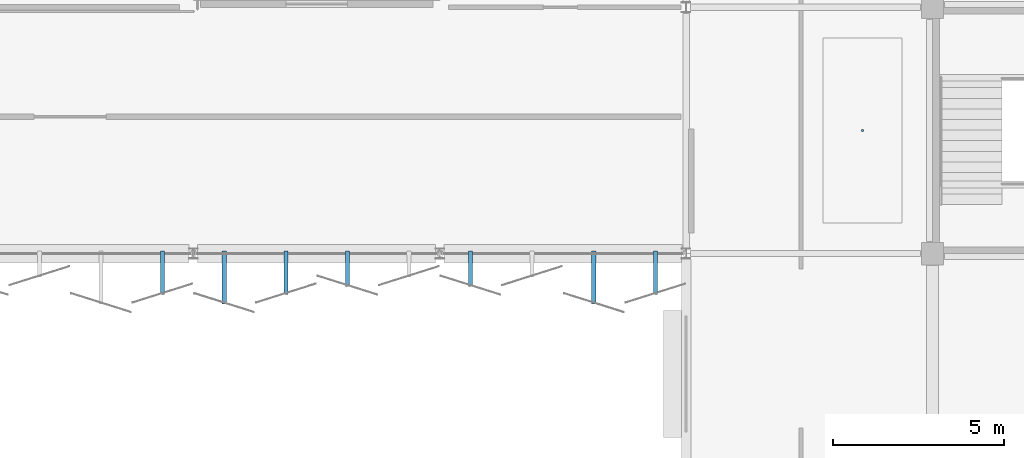
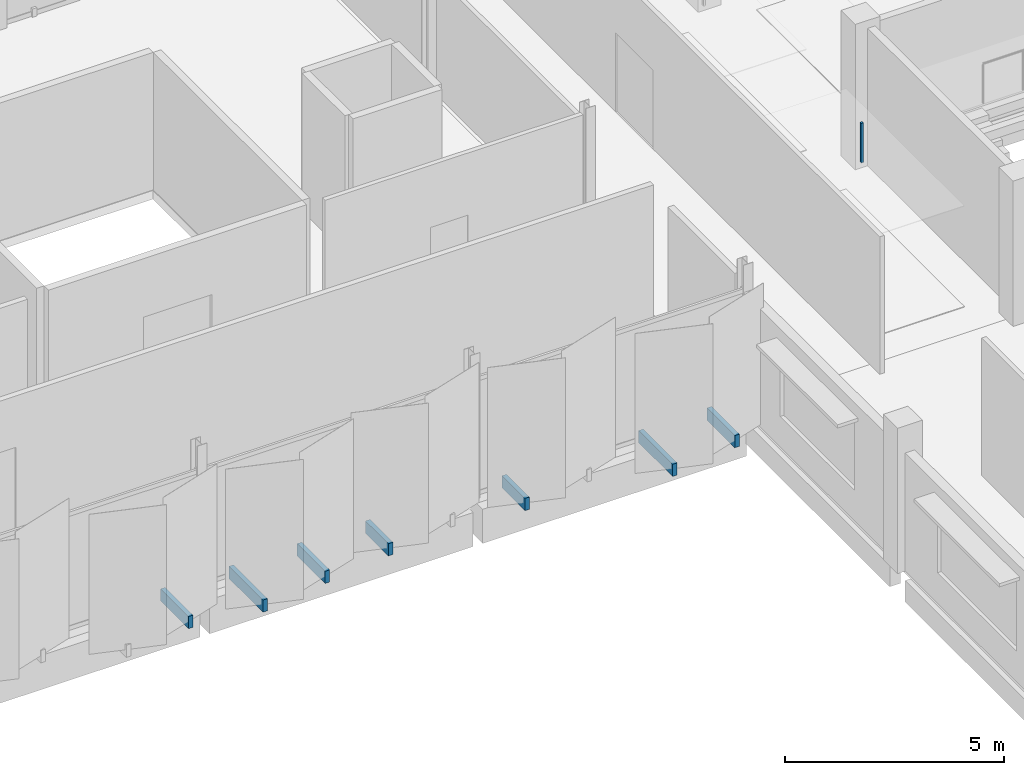
# One storey, part 71 of 77: 8 discrete accessories.
"""IFC4 building model written with IfcOpenShell, lengths in metres."""

from ifc_helpers import new_model, si_unit, direction, frame, origin, origin_2d, place, context, subcontext, project, spatial, rectangle, extrude, material, type_object, element, save


model = new_model("IFC4")

# Units and contexts
model_context = context("Model", 3, precision=1e-05, world=origin(), true_north=direction((0.0, 1.0)))
body_context = subcontext(model_context, "Body", "Model", "MODEL_VIEW")
ifc_project = project(units=[si_unit("LENGTHUNIT", "METRE"), si_unit("AREAUNIT", "SQUARE_METRE"), si_unit("VOLUMEUNIT", "CUBIC_METRE"), si_unit("PLANEANGLEUNIT", "RADIAN"), si_unit("MASSUNIT", "GRAM", prefix="KILO")], contexts=[model_context])

# Site, building, storey
site_placement = place(None, origin())
site = spatial("IfcSite", under=ifc_project, at=site_placement, CompositionType="ELEMENT")
building_placement = place(site_placement, origin())
building = spatial("IfcBuilding", under=site, at=building_placement, Name="Kangsadwip Square Police Headquarters", CompositionType="ELEMENT")
storey_placement = place(building_placement, frame((0.0, 0.0, 17.550048828125)))
storey = spatial("IfcBuildingStorey", under=building, at=storey_placement, Name="L04", CompositionType="ELEMENT", Elevation=17.550048828125)

# Discrete accessories
ifc_material = material(Name="Structural steel IS 2062 E350 (Grade 350, 350 MPa)", Category="steel")
discrete_accessory_type = type_object("IfcDiscreteAccessoryType", Name="VeilOutriggerBracket", PredefinedType="BRACKET", material=ifc_material)
discrete_accessory_1_placement = place(storey_placement, frame((128.699951171875, 93.042724609375, -0.10986328125), z_axis=(0.0, 0.0, 1.0), x_axis=(1.0, 0.0, 0.0)))
element("IfcDiscreteAccessory", 1, at=discrete_accessory_1_placement, inside=storey, type_object=discrete_accessory_type, Name="Veil Outrigger Bracket VBK-L04-0356", PredefinedType="BRACKET", context=body_context, shape_type="SweptSolid", body=[
    extrude(rectangle(XDim=0.1201171875, YDim=1.274658203125, at=origin_2d()), origin(), (0.0, 0.0, 1.0), 0.340087890625),
])
discrete_accessory_2_placement = place(storey_placement, frame((130.5, 92.902587890625, -0.10986328125), z_axis=(0.0, 0.0, 1.0), x_axis=(1.0, 0.0, 0.0)))
element("IfcDiscreteAccessory", 2, at=discrete_accessory_2_placement, inside=storey, type_object=discrete_accessory_type, Name="Veil Outrigger Bracket VBK-L04-0357", PredefinedType="BRACKET", context=body_context, shape_type="SweptSolid", body=[
    extrude(rectangle(XDim=0.1201171875, YDim=1.5546875, at=origin_2d()), origin(), (0.0, 0.0, 1.0), 0.340087890625),
])
discrete_accessory_3_placement = place(storey_placement, frame((132.300048828125, 93.042724609375, -0.10986328125), z_axis=(0.0, 0.0, 1.0), x_axis=(1.0, 0.0, 0.0)))
element("IfcDiscreteAccessory", 3, at=discrete_accessory_3_placement, inside=storey, type_object=discrete_accessory_type, Name="Veil Outrigger Bracket VBK-L04-0358", PredefinedType="BRACKET", context=body_context, shape_type="SweptSolid", body=[
    extrude(rectangle(XDim=0.1201171875, YDim=1.274658203125, at=origin_2d()), origin(), (0.0, 0.0, 1.0), 0.340087890625),
])
for number, where, z_axis, x_axis, name in (
    (4, (134.10009765625, 93.1572265625, -0.10986328125), (0.0, 0.0, 1.0), (1.0, 0.0, 0.0), "Veil Outrigger Bracket VBK-L04-0359"),
    (5, (137.699951171875, 93.1572265625, -0.10986328125), (0.0, 0.0, 1.0), (1.0, 0.0, 0.0), "Veil Outrigger Bracket VBK-L04-0361"),
):
    element("IfcDiscreteAccessory", number, at=place(storey_placement, frame(where, z_axis=z_axis, x_axis=x_axis)), inside=storey, type_object=discrete_accessory_type, Name=name, PredefinedType="BRACKET", context=body_context, shape_type="SweptSolid", body=[
        extrude(rectangle(XDim=0.1201171875, YDim=1.04541015625, at=origin_2d()), origin(), (0.0, 0.0, 1.0), 0.340087890625),
    ])
discrete_accessory_4_placement = place(storey_placement, frame((141.300048828125, 92.902587890625, -0.10986328125), z_axis=(0.0, 0.0, 1.0), x_axis=(1.0, 0.0, 0.0)))
element("IfcDiscreteAccessory", 6, at=discrete_accessory_4_placement, inside=storey, type_object=discrete_accessory_type, Name="Veil Outrigger Bracket VBK-L04-0363", PredefinedType="BRACKET", context=body_context, shape_type="SweptSolid", body=[
    extrude(rectangle(XDim=0.1201171875, YDim=1.5546875, at=origin_2d()), origin(), (0.0, 0.0, 1.0), 0.340087890625),
])
discrete_accessory_5_placement = place(storey_placement, frame((143.10009765625, 93.042724609375, -0.10986328125), z_axis=(0.0, 0.0, 1.0), x_axis=(1.0, 0.0, 0.0)))
element("IfcDiscreteAccessory", 7, at=discrete_accessory_5_placement, inside=storey, type_object=discrete_accessory_type, Name="Veil Outrigger Bracket VBK-L04-0364", PredefinedType="BRACKET", context=body_context, shape_type="SweptSolid", body=[
    extrude(rectangle(XDim=0.1201171875, YDim=1.274658203125, at=origin_2d()), origin(), (0.0, 0.0, 1.0), 0.340087890625),
])
discrete_accessory_6_placement = place(storey_placement, frame((149.14990234375, 97.199951171875, 2.809814453125), z_axis=(0.0, 0.0, 1.0), x_axis=(1.0, 0.0, 0.0)))
element("IfcDiscreteAccessory", 8, at=discrete_accessory_6_placement, inside=storey, type_object=discrete_accessory_type, Name="Ceiling Suspension Hanger L04-115", PredefinedType="BRACKET", context=body_context, shape_type="SweptSolid", body=[
    extrude(rectangle(XDim=0.06005859375, YDim=0.06005859375, at=origin_2d()), origin(), (0.0, 0.0, 1.0), 1.10009765625),
])

save(model, "model.ifc")
